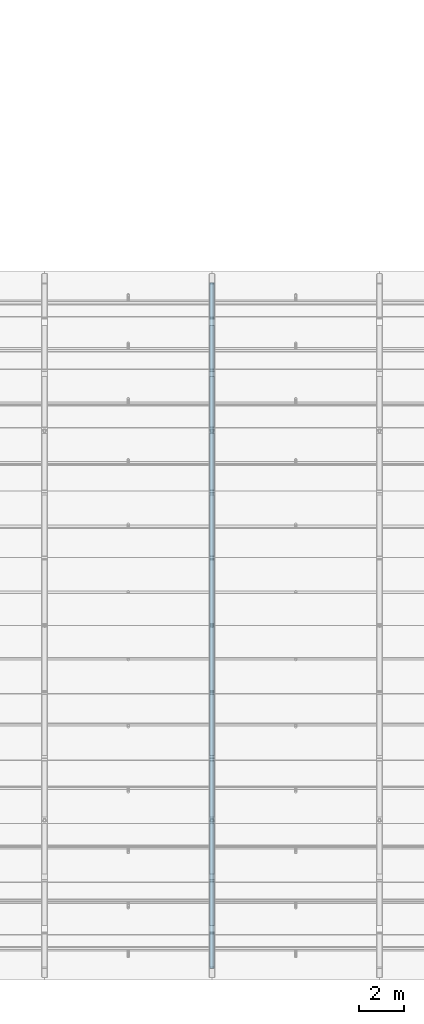
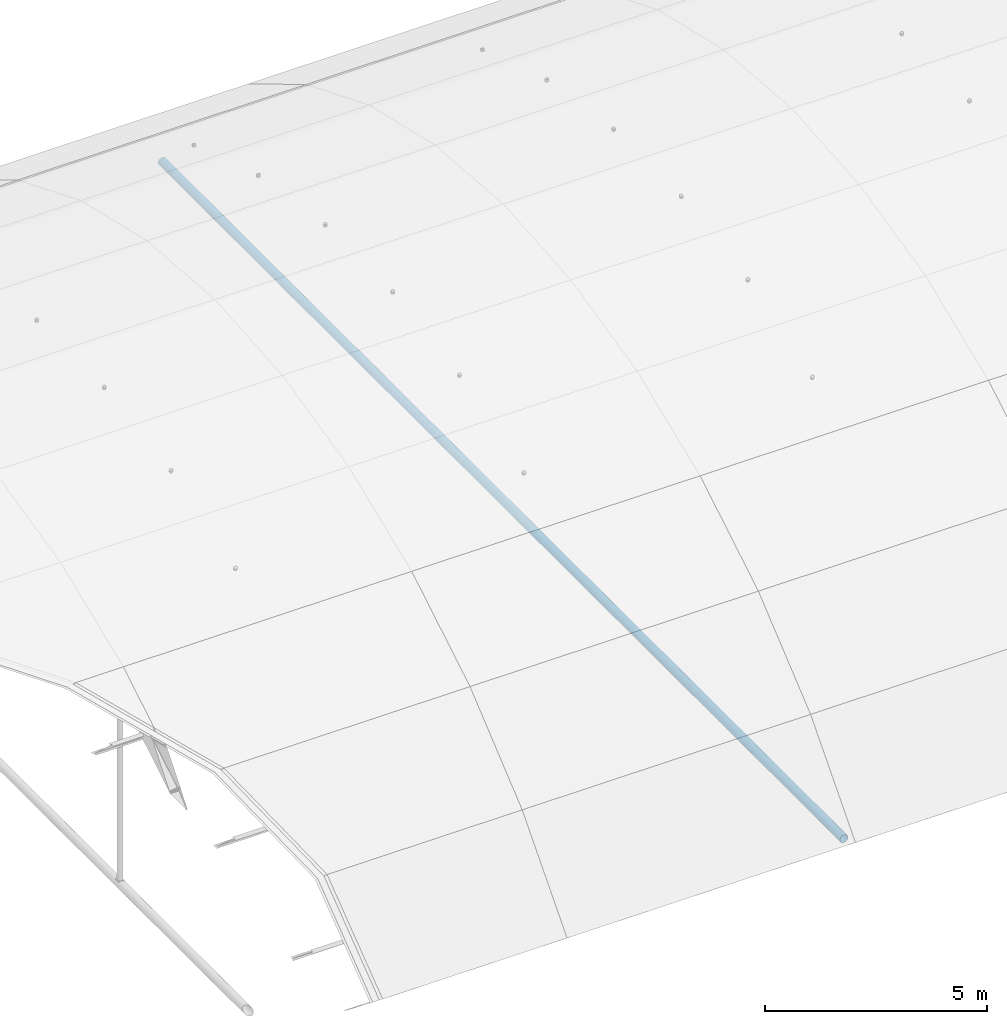
# One storey, part 13 of 77: 1 member.
"""IFC4 building model written with IfcOpenShell, lengths in metres."""

from ifc_helpers import new_model, si_unit, direction, frame, origin, origin_2d, place, context, subcontext, project, spatial, hollow_circle, extrude, material, material_profile, profile_set, type_object, element, save


model = new_model("IFC4")

# Units and contexts
model_context = context("Model", 3, precision=1e-05, world=origin(), true_north=direction((0.0, 1.0)))
body_context = subcontext(model_context, "Body", "Model", "MODEL_VIEW")
ifc_project = project(units=[si_unit("LENGTHUNIT", "METRE"), si_unit("AREAUNIT", "SQUARE_METRE"), si_unit("VOLUMEUNIT", "CUBIC_METRE"), si_unit("PLANEANGLEUNIT", "RADIAN"), si_unit("MASSUNIT", "GRAM", prefix="KILO")], contexts=[model_context])

# Site, building, storey
site_placement = place(None, origin())
site = spatial("IfcSite", under=ifc_project, at=site_placement, CompositionType="ELEMENT")
building_placement = place(site_placement, origin())
building = spatial("IfcBuilding", under=site, at=building_placement, Name="Yukiwa Park Conservatory and Herbarium", CompositionType="ELEMENT")
storey_placement = place(building_placement, frame((0.0, 0.0, 13.199951171875)))
storey = spatial("IfcBuildingStorey", under=building, at=storey_placement, Name="L03", CompositionType="ELEMENT", Elevation=13.199951171875)

# Member
ifc_material = material(Name="Steel Q355D", Category="steel")
ifc_material_profile = material_profile(ifc_material, hollow_circle(Radius=0.109619140625, WallThickness=0.011962890625, at=origin_2d()), Name="CHS 219.1x12")
ifc_profile_set = profile_set([ifc_material_profile], Name="Steel Q355D")
member_type = type_object("IfcMemberType", Name="MB-VLT-TIE219", PredefinedType="COLLAR", material=ifc_profile_set)
member_placement = place(storey_placement, frame((30.0, 0.2451171875, -4.199951171875), z_axis=(0.0, 1.0, 0.0), x_axis=(-1.0, 0.0, 0.0)))
element("IfcMember", 1, at=member_placement, inside=storey, type_object=member_type, Name="Conservatory vault springing tension tie 5", PredefinedType="COLLAR", context=body_context, shape_type="SweptSolid", body=[
    extrude(hollow_circle(Radius=0.109619140625, WallThickness=0.011962890625, at=origin_2d()), origin(), (0.0, 0.0, 1.0), 30.7099609375),
])

save(model, "model.ifc")
